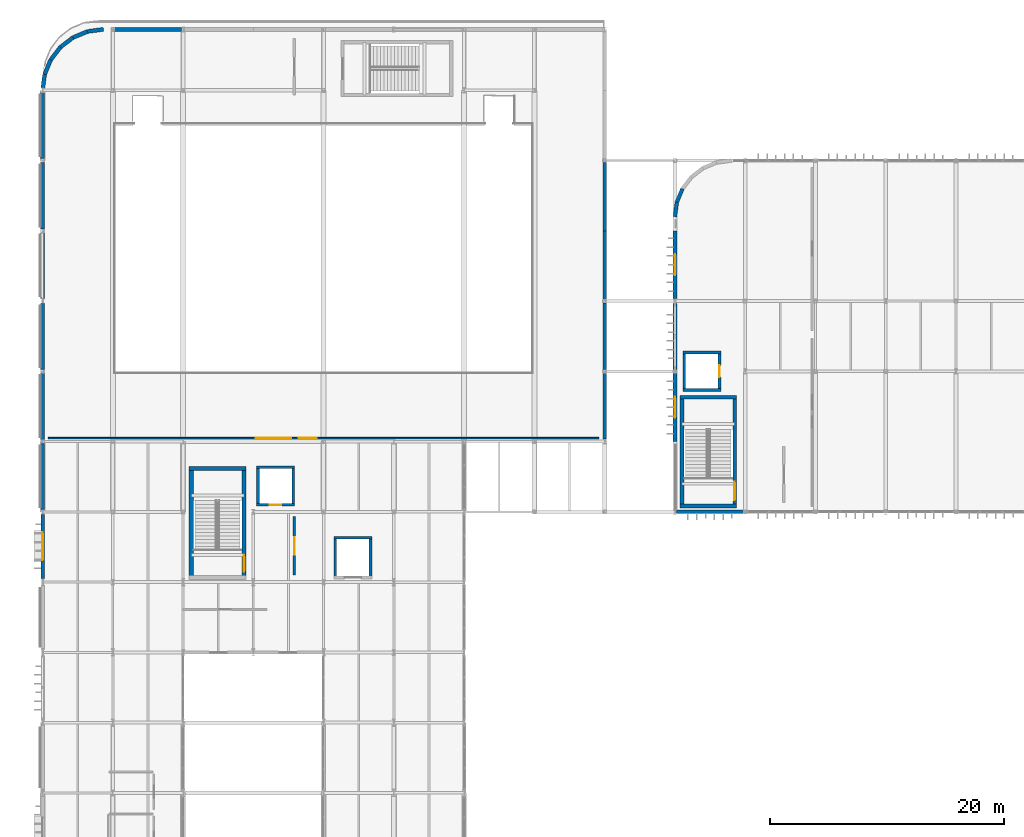
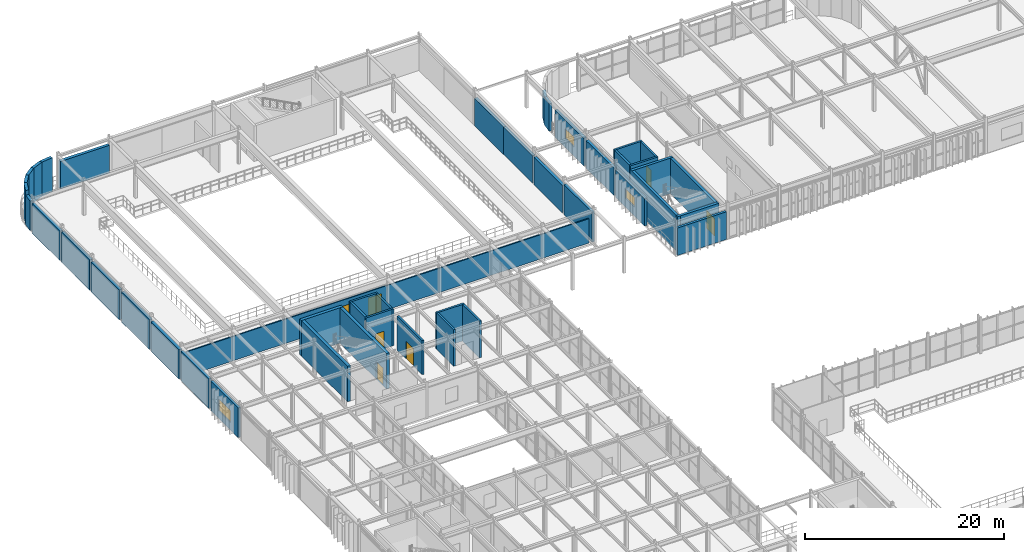
# One storey, part 66 of 96: 44 walls, 6 doors, 4 windows, 10 openings.
"""IFC4 building model written with IfcOpenShell, lengths in metres."""

from ifc_helpers import new_model, si_unit, direction, frame, frame_2d, origin, place, context, subcontext, project, spatial, rectangle, extrude, material, layer, layer_set, type_object, element, fill, save


model = new_model("IFC4")

# Units and contexts
model_context = context("Model", 3, precision=1e-05, world=origin(), true_north=direction((0.0, 1.0)))
body_context = subcontext(model_context, "Body", "Model", "MODEL_VIEW")
ifc_project = project(units=[si_unit("LENGTHUNIT", "METRE"), si_unit("AREAUNIT", "SQUARE_METRE"), si_unit("VOLUMEUNIT", "CUBIC_METRE"), si_unit("PLANEANGLEUNIT", "RADIAN"), si_unit("MASSUNIT", "GRAM", prefix="KILO")], contexts=[model_context])

# Site, building, storey
site_placement = place(None, origin())
site = spatial("IfcSite", under=ifc_project, at=site_placement, CompositionType="ELEMENT")
building_placement = place(site_placement, origin())
building = spatial("IfcBuilding", under=site, at=building_placement, Name="Varnakota Square Police Headquarters", CompositionType="ELEMENT")
storey_placement = place(building_placement, frame((0.0, 0.0, 4.800048828125)))
storey = spatial("IfcBuildingStorey", under=building, at=storey_placement, Name="L01", CompositionType="ELEMENT", Elevation=4.800048828125)

# Wall, opening, door
ifc_material_1 = material(Name="Concrete M40", Category="concrete")
ifc_layer_1 = layer(ifc_material_1, 0.22998046875, Name="Concrete M40")
ifc_layer_set_1 = layer_set([ifc_layer_1], Name="Concrete M40")
wall_type_1 = type_object("IfcWallType", Name="WL-CORE-230", PredefinedType="SHEAR", material=ifc_layer_set_1)
wall_1_placement = place(storey_placement, frame((24.284912109375, 69.60009765625, 0.0), z_axis=(0.0, 0.0, 1.0), x_axis=(1.0, 0.0, 0.0)))
wall_1 = element("IfcWall", 1, at=wall_1_placement, inside=storey, type_object=wall_type_1, Name="Lift shaft wall LF-P3 L01 S", PredefinedType="SHEAR", context=body_context, shape_type="SweptSolid", body=[
    extrude(rectangle(XDim=3.22998046875, YDim=0.22998046875, at=frame_2d((1.614990234375, 0.0))), origin(), (0.0, 0.0, 1.0), 4.5),
])
opening_1_placement = place(wall_1_placement, frame((1.114990234375, 0.0, 0.0)))
opening_1 = element("IfcOpeningElement", 2, at=opening_1_placement, cuts=wall_1, Name="Opening LD033", PredefinedType="OPENING", context=body_context, shape_type="SweptSolid", body=[
    extrude(rectangle(XDim=1.0, YDim=2.14990234375, at=frame_2d((0.5, 1.074951171875))), frame((0.0, 0.125, 0.0), z_axis=(0.0, -1.0, 0.0), x_axis=(1.0, 0.0, 0.0)), (0.0, 0.0, 1.0), 0.25),
])
ifc_material_2 = material(Name="Brushed Grade 316 Stainless Steel", Category="steel")
door_type_1 = type_object("IfcDoorType", Name="DR-LD-PAX", OperationType="NOTDEFINED", PredefinedType="DOOR", material=ifc_material_2)
door_1_placement = place(opening_1_placement, origin())
door_1 = element("IfcDoor", 3, at=door_1_placement, inside=storey, type_object=door_type_1, Name="Lift sliding landing door LD033", OperationType="SLIDING_TO_LEFT", OverallHeight=2.14990234375, OverallWidth=1.0, PredefinedType="DOOR", context=body_context, shape_type="SweptSolid", body=[
    extrude(rectangle(XDim=1.0, YDim=2.14990234375, at=frame_2d((0.5, 1.074951171875))), frame((0.0, 0.02490234375, 0.0), z_axis=(0.0, -1.0, 0.0), x_axis=(1.0, 0.0, 0.0)), (0.0, 0.0, 1.0), 0.050048828125),
])
fill(opening_1, door_1)

# Walls
wall_2_placement = place(storey_placement, frame((27.39990234375, 69.485107421875, 0.0), z_axis=(0.0, 0.0, 1.0), x_axis=(0.0, 1.0, 0.0)))
element("IfcWall", 4, at=wall_2_placement, inside=storey, type_object=wall_type_1, Name="Lift shaft wall LF-P3 L01 E", PredefinedType="SHEAR", context=body_context, shape_type="SweptSolid", body=[
    extrude(rectangle(XDim=3.429931640625, YDim=0.22998046875, at=frame_2d((1.71484375, 0.0))), origin(), (0.0, 0.0, 1.0), 4.5),
])
wall_3_placement = place(storey_placement, frame((27.514892578125, 72.800048828125, 0.0), z_axis=(0.0, 0.0, 1.0), x_axis=(-1.0, 0.0, 0.0)))
element("IfcWall", 5, at=wall_3_placement, inside=storey, type_object=wall_type_1, Name="Lift shaft wall LF-P3 L01 N", PredefinedType="SHEAR", context=body_context, shape_type="SweptSolid", body=[
    extrude(rectangle(XDim=3.22998046875, YDim=0.22998046875, at=frame_2d((1.614990234375, 0.0))), origin(), (0.0, 0.0, 1.0), 4.5),
])
wall_4_placement = place(storey_placement, frame((24.39990234375, 72.9150390625, 0.0), z_axis=(0.0, 0.0, 1.0), x_axis=(0.0, -1.0, 0.0)))
element("IfcWall", 6, at=wall_4_placement, inside=storey, type_object=wall_type_1, Name="Lift shaft wall LF-P3 L01 W", PredefinedType="SHEAR", context=body_context, shape_type="SweptSolid", body=[
    extrude(rectangle(XDim=3.429931640625, YDim=0.22998046875, at=frame_2d((1.71484375, 0.0))), origin(), (0.0, 0.0, 1.0), 4.5),
])
wall_5_placement = place(storey_placement, frame((60.68505859375, 79.39990234375, 0.0), z_axis=(0.0, 0.0, 1.0), x_axis=(1.0, 0.0, 0.0)))
element("IfcWall", 7, at=wall_5_placement, inside=storey, type_object=wall_type_1, Name="Lift shaft wall LF-P4 L01 S", PredefinedType="SHEAR", context=body_context, shape_type="SweptSolid", body=[
    extrude(rectangle(XDim=3.22998046875, YDim=0.22998046875, at=frame_2d((1.614990234375, 0.0))), origin(), (0.0, 0.0, 1.0), 4.5),
])

# Wall, opening, door
wall_6_placement = place(storey_placement, frame((63.800048828125, 79.284912109375, 0.0), z_axis=(0.0, 0.0, 1.0), x_axis=(0.0, 1.0, 0.0)))
wall_6 = element("IfcWall", 8, at=wall_6_placement, inside=storey, type_object=wall_type_1, Name="Lift shaft wall LF-P4 L01 E", PredefinedType="SHEAR", context=body_context, shape_type="SweptSolid", body=[
    extrude(rectangle(XDim=3.43017578125, YDim=0.22998046875, at=frame_2d((1.715087890625, 0.0))), origin(), (0.0, 0.0, 1.0), 4.5),
])
opening_2_placement = place(wall_6_placement, frame((1.215087890625, 0.0, 0.0)))
opening_2 = element("IfcOpeningElement", 9, at=opening_2_placement, cuts=wall_6, Name="Opening LD040", PredefinedType="OPENING", context=body_context, shape_type="SweptSolid", body=[
    extrude(rectangle(XDim=1.0, YDim=2.14990234375, at=frame_2d((0.5, 1.074951171875))), frame((0.0, 0.125, 0.0), z_axis=(0.0, -1.0, 0.0), x_axis=(1.0, 0.0, 0.0)), (0.0, 0.0, 1.0), 0.25),
])
door_2_placement = place(opening_2_placement, origin())
door_2 = element("IfcDoor", 10, at=door_2_placement, inside=storey, type_object=door_type_1, Name="Lift sliding landing door LD040", OperationType="SLIDING_TO_LEFT", OverallHeight=2.14990234375, OverallWidth=1.0, PredefinedType="DOOR", context=body_context, shape_type="SweptSolid", body=[
    extrude(rectangle(XDim=1.0, YDim=2.14990234375, at=frame_2d((0.5, 1.074951171875))), frame((0.0, 0.02490234375, 0.0), z_axis=(0.0, -1.0, 0.0), x_axis=(1.0, 0.0, 0.0)), (0.0, 0.0, 1.0), 0.050048828125),
])
fill(opening_2, door_2)

# Walls
wall_7_placement = place(storey_placement, frame((63.9150390625, 82.60009765625, 0.0), z_axis=(0.0, 0.0, 1.0), x_axis=(-1.0, 0.0, 0.0)))
element("IfcWall", 11, at=wall_7_placement, inside=storey, type_object=wall_type_1, Name="Lift shaft wall LF-P4 L01 N", PredefinedType="SHEAR", context=body_context, shape_type="SweptSolid", body=[
    extrude(rectangle(XDim=3.22998046875, YDim=0.22998046875, at=frame_2d((1.614990234375, 0.0))), origin(), (0.0, 0.0, 1.0), 4.5),
])
wall_8_placement = place(storey_placement, frame((60.800048828125, 82.715087890625, 0.0), z_axis=(0.0, 0.0, 1.0), x_axis=(0.0, -1.0, 0.0)))
element("IfcWall", 12, at=wall_8_placement, inside=storey, type_object=wall_type_1, Name="Lift shaft wall LF-P4 L01 W", PredefinedType="SHEAR", context=body_context, shape_type="SweptSolid", body=[
    extrude(rectangle(XDim=3.43017578125, YDim=0.22998046875, at=frame_2d((1.715087890625, 0.0))), origin(), (0.0, 0.0, 1.0), 4.5),
])
wall_9_placement = place(storey_placement, frame((34.0, 63.284912109375, 0.0), z_axis=(0.0, 0.0, 1.0), x_axis=(0.0, 1.0, 0.0)))
element("IfcWall", 13, at=wall_9_placement, inside=storey, type_object=wall_type_1, Name="Lift shaft wall LF-G1 L01 E", PredefinedType="SHEAR", context=body_context, shape_type="SweptSolid", body=[
    extrude(rectangle(XDim=3.630126953125, YDim=0.22998046875, at=frame_2d((1.81494140625, 0.0))), origin(), (0.0, 0.0, 1.0), 4.5),
])
wall_10_placement = place(storey_placement, frame((34.114990234375, 66.800048828125, 0.0), z_axis=(0.0, 0.0, 1.0), x_axis=(-1.0, 0.0, 0.0)))
element("IfcWall", 14, at=wall_10_placement, inside=storey, type_object=wall_type_1, Name="Lift shaft wall LF-G1 L01 N", PredefinedType="SHEAR", context=body_context, shape_type="SweptSolid", body=[
    extrude(rectangle(XDim=3.22998046875, YDim=0.22998046875, at=frame_2d((1.614990234375, 0.0))), origin(), (0.0, 0.0, 1.0), 4.5),
])
wall_11_placement = place(storey_placement, frame((31.0, 66.9150390625, 0.0), z_axis=(0.0, 0.0, 1.0), x_axis=(0.0, -1.0, 0.0)))
element("IfcWall", 15, at=wall_11_placement, inside=storey, type_object=wall_type_1, Name="Lift shaft wall LF-G1 L01 W", PredefinedType="SHEAR", context=body_context, shape_type="SweptSolid", body=[
    extrude(rectangle(XDim=3.630126953125, YDim=0.22998046875, at=frame_2d((1.81494140625, 0.0))), origin(), (0.0, 0.0, 1.0), 4.5),
])
ifc_material_3 = material(Name="Concrete M50", Category="concrete")
ifc_layer_2 = layer(ifc_material_3, 0.31005859375, Name="Concrete M50")
ifc_layer_set_2 = layer_set([ifc_layer_2], Name="Concrete M50")
wall_type_2 = type_object("IfcWallType", Name="WL-CORE-310", PredefinedType="SHEAR", material=ifc_layer_set_2)
wall_12_placement = place(storey_placement, frame((60.445068359375, 69.5, 0.0), z_axis=(0.0, 0.0, 1.0), x_axis=(1.0, 0.0, 0.0)))
element("IfcWall", 16, at=wall_12_placement, inside=storey, type_object=wall_type_2, Name="Core C6 shear wall L01 S", PredefinedType="SHEAR", context=body_context, shape_type="SweptSolid", body=[
    extrude(rectangle(XDim=4.809814453125, YDim=0.31005859375, at=frame_2d((2.40478515625, 0.0))), origin(), (0.0, 0.0, 1.0), 4.35986328125),
])

# Wall, opening, door
wall_13_placement = place(storey_placement, frame((65.10009765625, 69.344970703125, 0.0), z_axis=(0.0, 0.0, 1.0), x_axis=(0.0, 1.0, 0.0)))
wall_13 = element("IfcWall", 17, at=wall_13_placement, inside=storey, type_object=wall_type_2, Name="Core C6 shear wall L01 E", PredefinedType="SHEAR", context=body_context, shape_type="SweptSolid", body=[
    extrude(rectangle(XDim=9.610107421875, YDim=0.31005859375, at=frame_2d((4.80517578125, 0.0))), origin(), (0.0, 0.0, 1.0), 4.35986328125),
])
opening_3_placement = place(wall_13_placement, frame((0.635009765625, 0.0, 0.0)))
opening_3 = element("IfcOpeningElement", 18, at=opening_3_placement, cuts=wall_13, Name="Opening SD093", PredefinedType="OPENING", context=body_context, shape_type="SweptSolid", body=[
    extrude(rectangle(XDim=1.60009765625, YDim=2.199951171875, at=frame_2d((0.800048828125, 1.10009765625))), frame((0.0, 0.1650390625, 0.0), z_axis=(0.0, -1.0, 0.0), x_axis=(1.0, 0.0, 0.0)), (0.0, 0.0, 1.0), 0.330078125),
])
ifc_material_4 = material(Name="Powder-Coated Galvanised Steel", Category="steel")
door_type_2 = type_object("IfcDoorType", Name="DR-ST-160", OperationType="NOTDEFINED", PredefinedType="DOOR", material=ifc_material_4)
door_3_placement = place(opening_3_placement, origin())
door_3 = element("IfcDoor", 19, at=door_3_placement, inside=storey, type_object=door_type_2, Name="Protected stair door SD093", OperationType="DOUBLE_DOOR_SINGLE_SWING", OverallHeight=2.199951171875, OverallWidth=1.60009765625, PredefinedType="DOOR", context=body_context, shape_type="SweptSolid", body=[
    extrude(rectangle(XDim=1.60009765625, YDim=2.199951171875, at=frame_2d((0.800048828125, 1.10009765625))), frame((0.0, 0.02490234375, 0.0), z_axis=(0.0, -1.0, 0.0), x_axis=(1.0, 0.0, 0.0)), (0.0, 0.0, 1.0), 0.050048828125),
])
fill(opening_3, door_3)

# Walls
wall_14_placement = place(storey_placement, frame((65.2548828125, 78.800048828125, 0.0), z_axis=(0.0, 0.0, 1.0), x_axis=(-1.0, 0.0, 0.0)))
element("IfcWall", 20, at=wall_14_placement, inside=storey, type_object=wall_type_2, Name="Core C6 shear wall L01 N", PredefinedType="SHEAR", context=body_context, shape_type="SweptSolid", body=[
    extrude(rectangle(XDim=4.809814453125, YDim=0.31005859375, at=frame_2d((2.40478515625, 0.0))), origin(), (0.0, 0.0, 1.0), 4.35986328125),
])
wall_15_placement = place(storey_placement, frame((60.60009765625, 78.955078125, 0.0), z_axis=(0.0, 0.0, 1.0), x_axis=(0.0, -1.0, 0.0)))
element("IfcWall", 21, at=wall_15_placement, inside=storey, type_object=wall_type_2, Name="Core C6 shear wall L01 W", PredefinedType="SHEAR", context=body_context, shape_type="SweptSolid", body=[
    extrude(rectangle(XDim=9.610107421875, YDim=0.31005859375, at=frame_2d((4.80517578125, 0.0))), origin(), (0.0, 0.0, 1.0), 4.35986328125),
])

# Wall, opening, door
ifc_layer_3 = layer(ifc_material_3, 0.35009765625, Name="Concrete M50")
ifc_layer_set_3 = layer_set([ifc_layer_3], Name="Concrete M50")
wall_type_3 = type_object("IfcWallType", Name="WL-CORE-350", PredefinedType="SHEAR", material=ifc_layer_set_3)
wall_16_placement = place(storey_placement, frame((23.199951171875, 63.22509765625, 0.0), z_axis=(0.0, 0.0, 1.0), x_axis=(0.0, 1.0, 0.0)))
wall_16 = element("IfcWall", 22, at=wall_16_placement, inside=storey, type_object=wall_type_3, Name="Core C5 shear wall L01 E", PredefinedType="SHEAR", context=body_context, shape_type="SweptSolid", body=[
    extrude(rectangle(XDim=9.64990234375, YDim=0.35009765625, at=frame_2d((4.824951171875, 0.0))), origin(), (0.0, 0.0, 1.0), 4.35986328125),
])
opening_4_placement = place(wall_16_placement, frame((0.655029296875, 0.0, 0.0)))
opening_4 = element("IfcOpeningElement", 23, at=opening_4_placement, cuts=wall_16, Name="Opening SD079", PredefinedType="OPENING", context=body_context, shape_type="SweptSolid", body=[
    extrude(rectangle(XDim=1.39990234375, YDim=2.199951171875, at=frame_2d((0.699951171875, 1.10009765625))), frame((0.0, 0.18505859375, 0.0), z_axis=(0.0, -1.0, 0.0), x_axis=(1.0, 0.0, 0.0)), (0.0, 0.0, 1.0), 0.3701171875),
])
door_type_3 = type_object("IfcDoorType", Name="DR-ST-140", OperationType="NOTDEFINED", PredefinedType="DOOR", material=ifc_material_4)
door_4_placement = place(opening_4_placement, origin())
door_4 = element("IfcDoor", 24, at=door_4_placement, inside=storey, type_object=door_type_3, Name="Protected stair door SD079", OperationType="DOUBLE_DOOR_SINGLE_SWING", OverallHeight=2.199951171875, OverallWidth=1.39990234375, PredefinedType="DOOR", context=body_context, shape_type="SweptSolid", body=[
    extrude(rectangle(XDim=1.39990234375, YDim=2.199951171875, at=frame_2d((0.699951171875, 1.10009765625))), frame((0.0, 0.02490234375, 0.0), z_axis=(0.0, -1.0, 0.0), x_axis=(1.0, 0.0, 0.0)), (0.0, 0.0, 1.0), 0.050048828125),
])
fill(opening_4, door_4)

# Walls
wall_17_placement = place(storey_placement, frame((23.375, 72.699951171875, 0.0), z_axis=(0.0, 0.0, 1.0), x_axis=(-1.0, 0.0, 0.0)))
element("IfcWall", 25, at=wall_17_placement, inside=storey, type_object=wall_type_3, Name="Core C5 shear wall L01 N", PredefinedType="SHEAR", context=body_context, shape_type="SweptSolid", body=[
    extrude(rectangle(XDim=4.85009765625, YDim=0.35009765625, at=frame_2d((2.425048828125, 0.0))), origin(), (0.0, 0.0, 1.0), 4.35986328125),
])
wall_18_placement = place(storey_placement, frame((18.699951171875, 72.875, 0.0), z_axis=(0.0, 0.0, 1.0), x_axis=(0.0, -1.0, 0.0)))
element("IfcWall", 26, at=wall_18_placement, inside=storey, type_object=wall_type_3, Name="Core C5 shear wall L01 W", PredefinedType="SHEAR", context=body_context, shape_type="SweptSolid", body=[
    extrude(rectangle(XDim=9.64990234375, YDim=0.35009765625, at=frame_2d((4.824951171875, 0.0))), origin(), (0.0, 0.0, 1.0), 4.35986328125),
])
ifc_layer_4 = layer(ifc_material_1, 0.280029296875, Name="Concrete M40")
ifc_layer_set_4 = layer_set([ifc_layer_4], Name="Concrete M40")
wall_type_4 = type_object("IfcWallType", Name="WL-EXT-280", PredefinedType="SOLIDWALL", material=ifc_layer_set_4)
wall_19_placement = place(storey_placement, frame((60.12890625, 69.0, 0.0), z_axis=(0.0, 0.0, 1.0), x_axis=(1.0, 0.0, 0.0)))
element("IfcWall", 27, at=wall_19_placement, inside=storey, type_object=wall_type_4, Name="Exterior wall EW-L01-0488", PredefinedType="SOLIDWALL", context=body_context, shape_type="SweptSolid", body=[
    extrude(rectangle(XDim=5.717041015625, YDim=0.280029296875, at=frame_2d((2.8583984375, 0.0))), origin(), (0.0, 0.0, 1.0), 3.389892578125),
])

# Wall, opening, window
ifc_material_5 = material(Name="Precast concrete M40", Category="concrete")
ifc_layer_5 = layer(ifc_material_5, 0.300048828125, Name="Precast concrete M40")
ifc_layer_set_5 = layer_set([ifc_layer_5], Name="Precast concrete M40")
wall_type_5 = type_object("IfcWallType", Name="WL-EXT-300", PredefinedType="SOLIDWALL", material=ifc_layer_set_5)
wall_20_placement = place(storey_placement, frame((6.0, 63.303955078125, 0.0), z_axis=(0.0, 0.0, 1.0), x_axis=(0.0, 1.0, 0.0)))
wall_20 = element("IfcWall", 28, at=wall_20_placement, inside=storey, type_object=wall_type_5, Name="Exterior wall EW-L01-0406", PredefinedType="SOLIDWALL", context=body_context, shape_type="SweptSolid", body=[
    extrude(rectangle(XDim=5.491943359375, YDim=0.300048828125, at=frame_2d((2.74609375, 0.0))), origin(), (0.0, 0.0, 1.0), 3.639892578125),
])
opening_5_placement = place(wall_20_placement, frame((1.5458984375, 0.0, 0.89990234375)))
opening_5 = element("IfcOpeningElement", 29, at=opening_5_placement, cuts=wall_20, Name="Opening W02", PredefinedType="OPENING", context=body_context, shape_type="SweptSolid", body=[
    extrude(rectangle(XDim=2.39990234375, YDim=1.5, at=frame_2d((1.199951171875, 0.75))), frame((0.0, 0.159912109375, 0.0), z_axis=(0.0, -1.0, 0.0), x_axis=(1.0, 0.0, 0.0)), (0.0, 0.0, 1.0), 0.320068359375),
])
ifc_material_6 = material(Name="Thermally Broken Aluminium Double-Glazed Window", Category="aluminium")
window_type_1 = type_object("IfcWindowType", Name="WIN-02", PartitioningType="SINGLE_PANEL", PredefinedType="WINDOW", material=ifc_material_6)
window_1_placement = place(opening_5_placement, origin())
window_1 = element("IfcWindow", 30, at=window_1_placement, inside=storey, type_object=window_type_1, Name="Window WN-L01-0075", OverallHeight=1.5, OverallWidth=2.39990234375, PartitioningType="SINGLE_PANEL", PredefinedType="WINDOW", context=body_context, shape_type="SweptSolid", body=[
    extrude(rectangle(XDim=2.39990234375, YDim=1.5, at=frame_2d((1.199951171875, 0.75))), frame((0.0, 0.030029296875, 0.0), z_axis=(0.0, -1.0, 0.0), x_axis=(1.0, 0.0, 0.0)), (0.0, 0.0, 1.0), 0.06005859375),
])
fill(opening_5, window_1)

# Wall
wall_21_placement = place(storey_placement, frame((6.0, 69.2041015625, 0.0), z_axis=(0.0, 0.0, 1.0), x_axis=(0.0, 1.0, 0.0)))
element("IfcWall", 31, at=wall_21_placement, inside=storey, type_object=wall_type_5, Name="Exterior wall EW-L01-0407", PredefinedType="SOLIDWALL", context=body_context, shape_type="SweptSolid", body=[
    extrude(rectangle(XDim=5.641845703125, YDim=0.300048828125, at=frame_2d((2.82080078125, 0.0))), origin(), (0.0, 0.0, 1.0), 3.639892578125),
])

# Wall, opening, window
ifc_layer_6 = layer(ifc_material_5, 0.320068359375, Name="Precast concrete M40")
ifc_layer_set_6 = layer_set([ifc_layer_6], Name="Precast concrete M40")
wall_type_6 = type_object("IfcWallType", Name="WL-EXT-320", PredefinedType="SOLIDWALL", material=ifc_layer_set_6)
wall_22_placement = place(storey_placement, frame((60.0, 75.0, 0.0), z_axis=(0.0, 0.0, 1.0), x_axis=(0.0, 1.0, 0.0)))
wall_22 = element("IfcWall", 32, at=wall_22_placement, inside=storey, type_object=wall_type_6, Name="Exterior wall EW-L01-0489", PredefinedType="SOLIDWALL", context=body_context, shape_type="SweptSolid", body=[
    extrude(rectangle(XDim=5.845947265625, YDim=0.320068359375, at=frame_2d((2.9228515625, 0.0))), origin(), (0.0, 0.0, 1.0), 3.389892578125),
])
opening_6_placement = place(wall_22_placement, frame((2.02294921875, 0.0, 1.10009765625)))
opening_6 = element("IfcOpeningElement", 33, at=opening_6_placement, cuts=wall_22, Name="Opening W05", PredefinedType="OPENING", context=body_context, shape_type="SweptSolid", body=[
    extrude(rectangle(XDim=1.800048828125, YDim=1.199951171875, at=frame_2d((0.89990234375, 0.60009765625))), frame((0.0, 0.169921875, 0.0), z_axis=(0.0, -1.0, 0.0), x_axis=(1.0, 0.0, 0.0)), (0.0, 0.0, 1.0), 0.340087890625),
])
window_type_2 = type_object("IfcWindowType", Name="WIN-05", PartitioningType="SINGLE_PANEL", PredefinedType="WINDOW", material=ifc_material_6)
window_2_placement = place(opening_6_placement, origin())
window_2 = element("IfcWindow", 34, at=window_2_placement, inside=storey, type_object=window_type_2, Name="Window WN-L01-0117", OverallHeight=1.199951171875, OverallWidth=1.800048828125, PartitioningType="SINGLE_PANEL", PredefinedType="WINDOW", context=body_context, shape_type="SweptSolid", body=[
    extrude(rectangle(XDim=1.800048828125, YDim=1.199951171875, at=frame_2d((0.89990234375, 0.60009765625))), frame((0.0, 0.030029296875, 0.0), z_axis=(0.0, -1.0, 0.0), x_axis=(1.0, 0.0, 0.0)), (0.0, 0.0, 1.0), 0.06005859375),
])
fill(opening_6, window_2)

# Wall
wall_23_placement = place(storey_placement, frame((60.0, 81.154052734375, 0.0), z_axis=(0.0, 0.0, 1.0), x_axis=(0.0, 1.0, 0.0)))
element("IfcWall", 35, at=wall_23_placement, inside=storey, type_object=wall_type_6, Name="Exterior wall EW-L01-0490", PredefinedType="SOLIDWALL", context=body_context, shape_type="SweptSolid", body=[
    extrude(rectangle(XDim=5.641845703125, YDim=0.320068359375, at=frame_2d((2.82080078125, 0.0))), origin(), (0.0, 0.0, 1.0), 3.389892578125),
])

# Wall, opening, window
wall_24_placement = place(storey_placement, frame((60.0, 87.2041015625, 0.0), z_axis=(0.0, 0.0, 1.0), x_axis=(0.0, 1.0, 0.0)))
wall_24 = element("IfcWall", 36, at=wall_24_placement, inside=storey, type_object=wall_type_6, Name="Exterior wall EW-L01-0491", PredefinedType="SOLIDWALL", context=body_context, shape_type="SweptSolid", body=[
    extrude(rectangle(XDim=5.7958984375, YDim=0.320068359375, at=frame_2d((2.89794921875, 0.0))), origin(), (0.0, 0.0, 1.0), 3.389892578125),
])
opening_7_placement = place(wall_24_placement, frame((1.998046875, 0.0, 1.10009765625)))
opening_7 = element("IfcOpeningElement", 37, at=opening_7_placement, cuts=wall_24, Name="Opening W05", PredefinedType="OPENING", context=body_context, shape_type="SweptSolid", body=[
    extrude(rectangle(XDim=1.800048828125, YDim=1.199951171875, at=frame_2d((0.89990234375, 0.60009765625))), frame((0.0, 0.169921875, 0.0), z_axis=(0.0, -1.0, 0.0), x_axis=(1.0, 0.0, 0.0)), (0.0, 0.0, 1.0), 0.340087890625),
])
window_3_placement = place(opening_7_placement, origin())
window_3 = element("IfcWindow", 38, at=window_3_placement, inside=storey, type_object=window_type_2, Name="Window WN-L01-0118", OverallHeight=1.199951171875, OverallWidth=1.800048828125, PartitioningType="SINGLE_PANEL", PredefinedType="WINDOW", context=body_context, shape_type="SweptSolid", body=[
    extrude(rectangle(XDim=1.800048828125, YDim=1.199951171875, at=frame_2d((0.89990234375, 0.60009765625))), frame((0.0, 0.030029296875, 0.0), z_axis=(0.0, -1.0, 0.0), x_axis=(1.0, 0.0, 0.0)), (0.0, 0.0, 1.0), 0.06005859375),
])
fill(opening_7, window_3)

# Walls
for number, where, z_axis, x_axis, name in (
    (39, (60.64306640625, 96.60009765625, 0.0), (0.0, 0.0, 1.0), (-0.382650053678, -0.92389335771, 0.0), "Exterior wall EW-L01-0496"),
    (40, (60.16357421875, 95.4423828125, 0.0), (0.0, 0.0, 1.0), (-0.130530106475, -0.991444346045, 0.0), "Exterior wall EW-L01-0497"),
):
    element("IfcWall", number, at=place(storey_placement, frame(where, z_axis=z_axis, x_axis=x_axis)), inside=storey, type_object=wall_type_6, Name=name, PredefinedType="SOLIDWALL", context=body_context, shape_type="SweptSolid", body=[
        extrude(rectangle(XDim=1.253173828125, YDim=0.320068359375, at=frame_2d((0.62646484375, 0.0))), origin(), (0.0, 0.0, 1.0), 3.389892578125),
    ])
wall_25_placement = place(storey_placement, frame((54.0, 75.2041015625, 0.0), z_axis=(0.0, 0.0, 1.0), x_axis=(0.0, 1.0, 0.0)))
element("IfcWall", 41, at=wall_25_placement, inside=storey, type_object=wall_type_6, Name="Exterior wall EW-L01-0591", PredefinedType="SOLIDWALL", context=body_context, shape_type="SweptSolid", body=[
    extrude(rectangle(XDim=5.641845703125, YDim=0.320068359375, at=frame_2d((2.82080078125, 0.0))), origin(), (0.0, 0.0, 1.0), 3.68994140625),
])
wall_26_placement = place(storey_placement, frame((54.0, 81.154052734375, 0.0), z_axis=(0.0, 0.0, 1.0), x_axis=(0.0, 1.0, 0.0)))
element("IfcWall", 42, at=wall_26_placement, inside=storey, type_object=wall_type_6, Name="Exterior wall EW-L01-0592", PredefinedType="SOLIDWALL", context=body_context, shape_type="SweptSolid", body=[
    extrude(rectangle(XDim=5.69189453125, YDim=0.320068359375, at=frame_2d((2.845947265625, 0.0))), origin(), (0.0, 0.0, 1.0), 3.389892578125),
])
for number, where, z_axis, x_axis, name in (
    (43, (54.0, 87.154052734375, 0.0), (0.0, 0.0, 1.0), (0.0, 1.0, 0.0), "Exterior wall EW-L01-0593"),
    (44, (54.0, 93.0, 0.0), (0.0, 0.0, 1.0), (0.0, 1.0, 0.0), "Exterior wall EW-L01-0594"),
):
    element("IfcWall", number, at=place(storey_placement, frame(where, z_axis=z_axis, x_axis=x_axis)), inside=storey, type_object=wall_type_6, Name=name, PredefinedType="SOLIDWALL", context=body_context, shape_type="SweptSolid", body=[
        extrude(rectangle(XDim=5.845947265625, YDim=0.320068359375, at=frame_2d((2.9228515625, 0.0))), origin(), (0.0, 0.0, 1.0), 3.389892578125),
    ])
ifc_layer_7 = layer(ifc_material_1, 0.340087890625, Name="Concrete M40")
ifc_layer_set_7 = layer_set([ifc_layer_7], Name="Concrete M40")
wall_type_7 = type_object("IfcWallType", Name="WL-EXT-340", PredefinedType="SOLIDWALL", material=ifc_layer_set_7)
wall_27_placement = place(storey_placement, frame((6.0, 75.154052734375, 0.0), z_axis=(0.0, 0.0, 1.0), x_axis=(0.0, 1.0, 0.0)))
element("IfcWall", 45, at=wall_27_placement, inside=storey, type_object=wall_type_7, Name="Exterior wall EW-L01-0579", PredefinedType="SOLIDWALL", context=body_context, shape_type="SweptSolid", body=[
    extrude(rectangle(XDim=5.69189453125, YDim=0.340087890625, at=frame_2d((2.845947265625, 0.0))), origin(), (0.0, 0.0, 1.0), 3.639892578125),
])
for number, where, z_axis, x_axis, name in (
    (46, (6.0, 81.154052734375, 0.0), (0.0, 0.0, 1.0), (0.0, 1.0, 0.0), "Exterior wall EW-L01-0580"),
    (47, (6.0, 87.2041015625, 0.0), (0.0, 0.0, 1.0), (0.0, 1.0, 0.0), "Exterior wall EW-L01-0581"),
):
    element("IfcWall", number, at=place(storey_placement, frame(where, z_axis=z_axis, x_axis=x_axis)), inside=storey, type_object=wall_type_7, Name=name, PredefinedType="SOLIDWALL", context=body_context, shape_type="SweptSolid", body=[
        extrude(rectangle(XDim=5.641845703125, YDim=0.340087890625, at=frame_2d((2.82080078125, 0.0))), origin(), (0.0, 0.0, 1.0), 3.68994140625),
    ])
wall_28_placement = place(storey_placement, frame((6.0, 93.154052734375, 0.0), z_axis=(0.0, 0.0, 1.0), x_axis=(0.0, 1.0, 0.0)))
element("IfcWall", 48, at=wall_28_placement, inside=storey, type_object=wall_type_7, Name="Exterior wall EW-L01-0582", PredefinedType="SOLIDWALL", context=body_context, shape_type="SweptSolid", body=[
    extrude(rectangle(XDim=5.69189453125, YDim=0.340087890625, at=frame_2d((2.845947265625, 0.0))), origin(), (0.0, 0.0, 1.0), 3.739990234375),
])
wall_29_placement = place(storey_placement, frame((6.0, 99.154052734375, 0.0), z_axis=(0.0, 0.0, 1.0), x_axis=(0.0, 1.0, 0.0)))
element("IfcWall", 49, at=wall_29_placement, inside=storey, type_object=wall_type_7, Name="Exterior wall EW-L01-0583", PredefinedType="SOLIDWALL", context=body_context, shape_type="SweptSolid", body=[
    extrude(rectangle(XDim=5.641845703125, YDim=0.340087890625, at=frame_2d((2.82080078125, 0.0))), origin(), (0.0, 0.0, 1.0), 3.639892578125),
])
wall_30_placement = place(storey_placement, frame((12.154052734375, 110.199951171875, 0.0), z_axis=(0.0, 0.0, 1.0), x_axis=(1.0, 0.0, 0.0)))
element("IfcWall", 50, at=wall_30_placement, inside=storey, type_object=wall_type_7, Name="Exterior wall EW-L01-0584", PredefinedType="SOLIDWALL", context=body_context, shape_type="SweptSolid", body=[
    extrude(rectangle(XDim=5.717041015625, YDim=0.340087890625, at=frame_2d((2.8583984375, 0.0))), origin(), (0.0, 0.0, 1.0), 3.389892578125),
])
wall_31_placement = place(storey_placement, frame((11.199951171875, 110.199951171875, 0.0), z_axis=(0.0, 0.0, 1.0), x_axis=(-0.991440211328, -0.130561507967, 0.0)))
element("IfcWall", 51, at=wall_31_placement, inside=storey, type_object=wall_type_7, Name="Exterior wall EW-L01-0597", PredefinedType="SOLIDWALL", context=body_context, shape_type="SweptSolid", body=[
    extrude(rectangle(XDim=1.357666015625, YDim=0.340087890625, at=frame_2d((0.6787109375, 0.0))), origin(), (0.0, 0.0, 1.0), 4.195068359375),
])
wall_32_placement = place(storey_placement, frame((9.85400390625, 110.022705078125, 0.0), z_axis=(0.0, 0.0, 1.0), x_axis=(-0.923905024937, -0.382621882407, 0.0)))
element("IfcWall", 52, at=wall_32_placement, inside=storey, type_object=wall_type_7, Name="Exterior wall EW-L01-0598", PredefinedType="SOLIDWALL", context=body_context, shape_type="SweptSolid", body=[
    extrude(rectangle(XDim=1.357177734375, YDim=0.340087890625, at=frame_2d((0.6787109375, 0.0))), origin(), (0.0, 0.0, 1.0), 4.195068359375),
])
wall_33_placement = place(storey_placement, frame((8.60009765625, 109.50341796875, 0.0), z_axis=(0.0, 0.0, 1.0), x_axis=(-0.793392131727, -0.60871087169, 0.0)))
element("IfcWall", 53, at=wall_33_placement, inside=storey, type_object=wall_type_7, Name="Exterior wall EW-L01-0599", PredefinedType="SOLIDWALL", context=body_context, shape_type="SweptSolid", body=[
    extrude(rectangle(XDim=1.357666015625, YDim=0.340087890625, at=frame_2d((0.6787109375, 0.0))), origin(), (0.0, 0.0, 1.0), 4.195068359375),
])
for number, where, z_axis, x_axis, name in (
    (54, (7.52294921875, 108.677001953125, 0.0), (0.0, 0.0, 1.0), (-0.608684515772, -0.793412351971, 0.0), "Exterior wall EW-L01-0600"),
    (55, (6.69677734375, 107.60009765625, 0.0), (0.0, 0.0, 1.0), (-0.382711820428, -0.92386777328, 0.0), "Exterior wall EW-L01-0601"),
):
    element("IfcWall", number, at=place(storey_placement, frame(where, z_axis=z_axis, x_axis=x_axis)), inside=storey, type_object=wall_type_7, Name=name, PredefinedType="SOLIDWALL", context=body_context, shape_type="SweptSolid", body=[
        extrude(rectangle(XDim=1.357421875, YDim=0.340087890625, at=frame_2d((0.6787109375, 0.0))), origin(), (0.0, 0.0, 1.0), 4.195068359375),
    ])
wall_34_placement = place(storey_placement, frame((6.17724609375, 106.345947265625, 0.0), z_axis=(0.0, 0.0, 1.0), x_axis=(-0.130548780406, -0.991441887321, 0.0)))
element("IfcWall", 56, at=wall_34_placement, inside=storey, type_object=wall_type_7, Name="Exterior wall EW-L01-0602", PredefinedType="SOLIDWALL", context=body_context, shape_type="SweptSolid", body=[
    extrude(rectangle(XDim=1.138916015625, YDim=0.340087890625, at=frame_2d((0.5693359375, 0.0))), origin(), (0.0, 0.0, 1.0), 3.639892578125),
])

# Wall, openings, door, window
ifc_material_7 = material(Name="Acoustic Insulated Metal-Stud Partition", Category="gypsum")
ifc_layer_8 = layer(ifc_material_7, 0.139892578125, Name="Acoustic Insulated Metal-Stud Partition")
ifc_layer_set_8 = layer_set([ifc_layer_8], Name="Acoustic Insulated Metal-Stud Partition")
wall_type_8 = type_object("IfcWallType", Name="WL-PRT-140", PredefinedType="PARTITIONING", material=ifc_layer_set_8)
wall_35_placement = place(storey_placement, frame((53.5, 75.300048828125, 0.0), z_axis=(0.0, 0.0, 1.0), x_axis=(-1.0, 0.0, 0.0)))
wall_35 = element("IfcWall", 57, at=wall_35_placement, inside=storey, type_object=wall_type_8, Name="Interior partition PW-L01-0103 (Tactical Briefing Classroom)", PredefinedType="PARTITIONING", context=body_context, shape_type="SweptSolid", body=[
    extrude(rectangle(XDim=47.0, YDim=0.139892578125, at=frame_2d((23.5, 0.0))), origin(), (0.0, 0.0, 1.0), 2.989990234375),
])
opening_8_placement = place(wall_35_placement, frame((24.074951171875, 0.0, 0.0)))
opening_8 = element("IfcOpeningElement", 58, at=opening_8_placement, cuts=wall_35, Name="Opening D209", PredefinedType="OPENING", context=body_context, shape_type="SweptSolid", body=[
    extrude(rectangle(XDim=1.550048828125, YDim=2.199951171875, at=frame_2d((0.77490234375, 1.10009765625))), frame((0.0, 0.079833984375, 0.0), z_axis=(0.0, -1.0, 0.0), x_axis=(1.0, 0.0, 0.0)), (0.0, 0.0, 1.0), 0.159912109375),
])
opening_9_placement = place(wall_35_placement, frame((26.27490234375, 0.0, 0.949951171875)))
opening_9 = element("IfcOpeningElement", 59, at=opening_9_placement, cuts=wall_35, Name="Opening IW04", PredefinedType="OPENING", context=body_context, shape_type="SweptSolid", body=[
    extrude(rectangle(XDim=3.0, YDim=1.300048828125, at=frame_2d((1.5, 0.64990234375))), frame((0.0, 0.079833984375, 0.0), z_axis=(0.0, -1.0, 0.0), x_axis=(1.0, 0.0, 0.0)), (0.0, 0.0, 1.0), 0.159912109375),
])
ifc_material_8 = material(Name="Solid-Core Acoustic Oak Veneer Timber", Category="wood")
door_type_4 = type_object("IfcDoorType", Name="DR-BRF-155", OperationType="NOTDEFINED", PredefinedType="DOOR", material=ifc_material_8)
door_5_placement = place(opening_8_placement, origin())
door_5 = element("IfcDoor", 60, at=door_5_placement, inside=storey, type_object=door_type_4, Name="Room door D209 (Tactical Briefing Classroom)", OperationType="DOUBLE_DOOR_SINGLE_SWING", OverallHeight=2.199951171875, OverallWidth=1.550048828125, PredefinedType="DOOR", context=body_context, shape_type="SweptSolid", body=[
    extrude(rectangle(XDim=1.550048828125, YDim=2.199951171875, at=frame_2d((0.77490234375, 1.10009765625))), frame((0.0, 0.02490234375, 0.0), z_axis=(0.0, -1.0, 0.0), x_axis=(1.0, 0.0, 0.0)), (0.0, 0.0, 1.0), 0.050048828125),
])
fill(opening_8, door_5)
ifc_material_9 = material(Name="Acoustic Laminated Interior Vision Glazing", Category="glass")
window_type_3 = type_object("IfcWindowType", Name="WIN-INT-04", PartitioningType="SINGLE_PANEL", PredefinedType="WINDOW", material=ifc_material_9)
window_4_placement = place(opening_9_placement, origin())
window_4 = element("IfcWindow", 61, at=window_4_placement, inside=storey, type_object=window_type_3, Name="Interior observation window IWN-L01-020", OverallHeight=1.300048828125, OverallWidth=3.0, PartitioningType="SINGLE_PANEL", PredefinedType="WINDOW", context=body_context, shape_type="SweptSolid", body=[
    extrude(rectangle(XDim=3.0, YDim=1.300048828125, at=frame_2d((1.5, 0.64990234375))), frame((0.0, 0.030029296875, 0.0), z_axis=(0.0, -1.0, 0.0), x_axis=(1.0, 0.0, 0.0)), (0.0, 0.0, 1.0), 0.06005859375),
])
fill(opening_9, window_4)

# Wall, opening, door
ifc_layer_9 = layer(ifc_material_1, 0.215087890625, Name="Concrete M40")
ifc_layer_set_9 = layer_set([ifc_layer_9], Name="Concrete M40")
wall_type_9 = type_object("IfcWallType", Name="WL-PRT-215F", PredefinedType="PARTITIONING", material=ifc_layer_set_9)
wall_36_placement = place(storey_placement, frame((27.5, 63.60009765625, 0.0), z_axis=(0.0, 0.0, 1.0), x_axis=(0.0, 1.0, 0.0)))
wall_36 = element("IfcWall", 62, at=wall_36_placement, inside=storey, type_object=wall_type_9, Name="Core C5 lobby fire partition L01", PredefinedType="PARTITIONING", context=body_context, shape_type="SweptSolid", body=[
    extrude(rectangle(XDim=5.0, YDim=0.215087890625, at=frame_2d((2.5, 0.0))), origin(), (0.0, 0.0, 1.0), 4.18994140625),
])
opening_10_placement = place(wall_36_placement, frame((1.75, 0.0, 0.0)))
opening_10 = element("IfcOpeningElement", 63, at=opening_10_placement, cuts=wall_36, Name="Opening FD086", PredefinedType="OPENING", context=body_context, shape_type="SweptSolid", body=[
    extrude(rectangle(XDim=1.5, YDim=2.14990234375, at=frame_2d((0.75, 1.074951171875))), frame((0.0, 0.117431640625, 0.0), z_axis=(0.0, -1.0, 0.0), x_axis=(1.0, 0.0, 0.0)), (0.0, 0.0, 1.0), 0.235107421875),
])
ifc_material_10 = material(Name="Smoke-Sealed Galvanised Acoustic Steel", Category="steel")
door_type_5 = type_object("IfcDoorType", Name="DR-FFL-150", OperationType="NOTDEFINED", PredefinedType="DOOR", material=ifc_material_10)
door_6_placement = place(opening_10_placement, origin())
door_6 = element("IfcDoor", 64, at=door_6_placement, inside=storey, type_object=door_type_5, Name="Core lobby smoke door FD086", OperationType="DOUBLE_DOOR_SINGLE_SWING", OverallHeight=2.14990234375, OverallWidth=1.5, PredefinedType="DOOR", context=body_context, shape_type="SweptSolid", body=[
    extrude(rectangle(XDim=1.5, YDim=2.14990234375, at=frame_2d((0.75, 1.074951171875))), frame((0.0, 0.02490234375, 0.0), z_axis=(0.0, -1.0, 0.0), x_axis=(1.0, 0.0, 0.0)), (0.0, 0.0, 1.0), 0.050048828125),
])
fill(opening_10, door_6)

save(model, "model.ifc")
